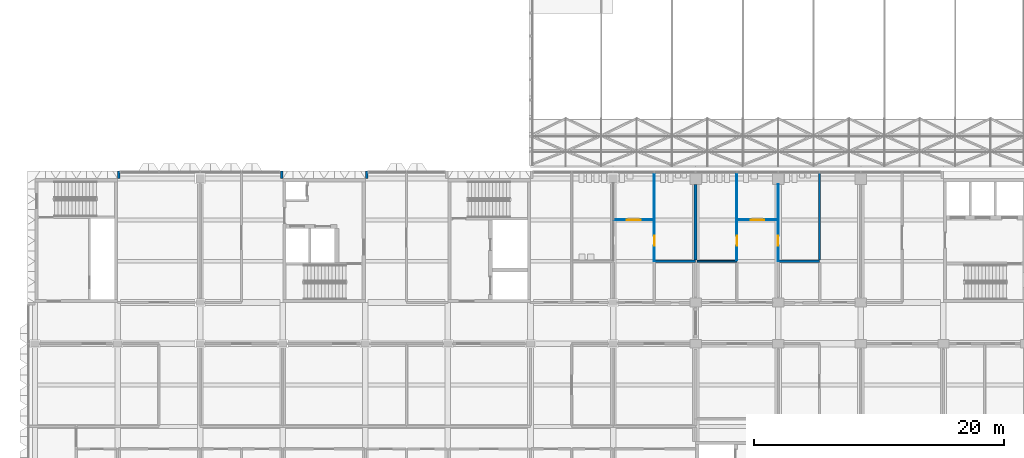
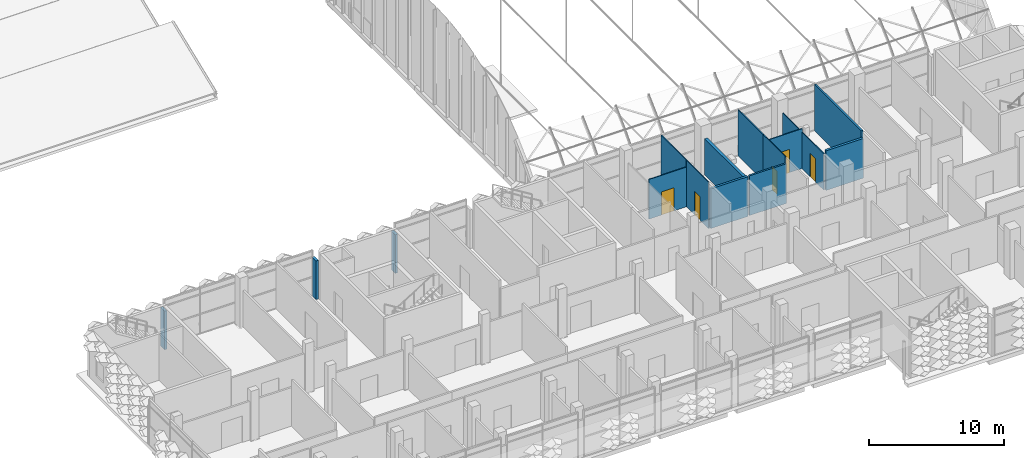
# One storey, part 53 of 109: 16 walls, 5 doors, 5 openings.
"""IFC4 building model written with IfcOpenShell, lengths in metres."""

from ifc_helpers import new_model, si_unit, direction, frame, frame_2d, origin, place, context, subcontext, project, spatial, rectangle, extrude, material, layer, layer_set, type_object, element, fill, save


model = new_model("IFC4")

# Units and contexts
model_context = context("Model", 3, precision=1e-05, world=origin(), true_north=direction((0.0, 1.0)))
body_context = subcontext(model_context, "Body", "Model", "MODEL_VIEW")
ifc_project = project(units=[si_unit("LENGTHUNIT", "METRE"), si_unit("AREAUNIT", "SQUARE_METRE"), si_unit("VOLUMEUNIT", "CUBIC_METRE"), si_unit("PLANEANGLEUNIT", "RADIAN"), si_unit("MASSUNIT", "GRAM", prefix="KILO")], contexts=[model_context])

# Site, building, storey
site_placement = place(None, origin())
site = spatial("IfcSite", under=ifc_project, at=site_placement, CompositionType="ELEMENT")
building_placement = place(site_placement, origin())
building = spatial("IfcBuilding", under=site, at=building_placement, Name="Lantern Court Research Institute", CompositionType="ELEMENT")
storey_placement = place(building_placement, frame((0.0, 0.0, 14.39990234375)))
storey = spatial("IfcBuildingStorey", under=building, at=storey_placement, Name="L03", CompositionType="ELEMENT", Elevation=14.39990234375)

# Walls
ifc_material_1 = material(Name="Fire-rated gypsum board partition, mineral wool filled")
ifc_layer_1 = layer(ifc_material_1, 0.199951171875)
ifc_layer_set_1 = layer_set([ifc_layer_1], Name="Fire-rated gypsum board partition, mineral wool filled")
wall_type_1 = type_object("IfcWallType", Name="Compartment wall 200 EI 120", PredefinedType="PARTITIONING", material=ifc_layer_set_1)
for number, where, z_axis, x_axis, name in (
    (1, (52.800048828125, 16.5, 0.0), (0.0, 0.0, 1.0), (-1.0, 0.0, 0.0), "Compartment wall 200 EI 120"),
    (2, (62.699951171875, 16.5, 0.0), (0.0, 0.0, 1.0), (-1.0, 0.0, 0.0), "Compartment wall 200 EI 120"),
):
    element("IfcWall", number, at=place(storey_placement, frame(where, z_axis=z_axis, x_axis=x_axis)), inside=storey, type_object=wall_type_1, Name=name, PredefinedType="PARTITIONING", context=body_context, shape_type="SweptSolid", body=[
        extrude(rectangle(XDim=3.199951171875, YDim=0.199951171875, at=frame_2d((1.60009765625, 0.0))), origin(), (0.0, 0.0, 1.0), 3.60009765625),
    ])
ifc_material_2 = material(Name="Fire-rated gypsum board partition, mineral wool filled")
ifc_layer_2 = layer(ifc_material_2, 0.14990234375)
ifc_layer_set_2 = layer_set([ifc_layer_2], Name="Fire-rated gypsum board partition, mineral wool filled")
wall_type_2 = type_object("IfcWallType", Name="Laboratory partition 150 EI 60", PredefinedType="PARTITIONING", material=ifc_layer_set_2)
wall_1_placement = place(storey_placement, frame((56.10009765625, 16.5, 0.0), z_axis=(0.0, 0.0, 1.0), x_axis=(-1.0, 0.0, 0.0)))
element("IfcWall", 3, at=wall_1_placement, inside=storey, type_object=wall_type_2, Name="Laboratory partition 150 EI 60", PredefinedType="PARTITIONING", context=body_context, shape_type="SweptSolid", body=[
    extrude(rectangle(XDim=3.175048828125, YDim=0.14990234375, at=frame_2d((1.58740234375, 0.0))), origin(), (0.0, 0.0, 1.0), 3.60009765625),
])
wall_2_placement = place(storey_placement, frame((62.699951171875, 16.60009765625, 0.0), z_axis=(0.0, 0.0, 1.0), x_axis=(0.0, 1.0, 0.0)))
element("IfcWall", 4, at=wall_2_placement, inside=storey, type_object=wall_type_2, Name="Laboratory partition 150 EI 60", PredefinedType="PARTITIONING", context=body_context, shape_type="SweptSolid", body=[
    extrude(rectangle(XDim=6.949951171875, YDim=0.14990234375, at=frame_2d((3.47509765625, 0.0))), origin(), (0.0, 0.0, 1.0), 4.2001953125),
])
ifc_material_3 = material(Name="Fire-rated gypsum board partition, double stud, mineral wool filled")
ifc_layer_3 = layer(ifc_material_3, 0.25)
ifc_layer_set_3 = layer_set([ifc_layer_3], Name="Fire-rated gypsum board partition, double stud, mineral wool filled")
wall_type_3 = type_object("IfcWallType", Name="Plant compartment wall 250 EI 120", PredefinedType="PARTITIONING", material=ifc_layer_set_3)
wall_3_placement = place(storey_placement, frame((52.800048828125, 16.60009765625, 0.0), z_axis=(0.0, 0.0, 1.0), x_axis=(0.0, 1.0, 0.0)))
element("IfcWall", 5, at=wall_3_placement, inside=storey, type_object=wall_type_3, Name="Plant compartment wall 250 EI 120", PredefinedType="PARTITIONING", context=body_context, shape_type="SweptSolid", body=[
    extrude(rectangle(XDim=6.0498046875, YDim=0.25, at=frame_2d((3.02490234375, 0.0))), origin(), (0.0, 0.0, 1.0), 3.300048828125),
])
ifc_material_4 = material(Name="Concrete C40/50", Category="concrete")
ifc_layer_4 = layer(ifc_material_4, 0.199951171875)
ifc_layer_set_4 = layer_set([ifc_layer_4], Name="Concrete C40/50")
wall_type_4 = type_object("IfcWallType", Name="Return wall 200 concrete EI 120 aluminium faced", PredefinedType="STANDARD", material=ifc_layer_set_4)
for number, where, z_axis, x_axis, name in (
    (6, (6.699951171875, 23.10009765625, 0.0), (0.0, 0.0, 1.0), (0.0, 1.0, 0.0), "Core return wall 33"),
    (7, (19.699951171875, 23.10009765625, 0.0), (0.0, 0.0, 1.0), (0.0, 1.0, 0.0), "Core return wall 34"),
    (8, (26.5, 23.10009765625, 0.0), (0.0, 0.0, 1.0), (0.0, 1.0, 0.0), "Core return wall 35"),
):
    element("IfcWall", number, at=place(storey_placement, frame(where, z_axis=z_axis, x_axis=x_axis)), inside=storey, type_object=wall_type_4, Name=name, PredefinedType="STANDARD", context=body_context, shape_type="SweptSolid", body=[
        extrude(rectangle(XDim=0.599853515625, YDim=0.199951171875, at=frame_2d((0.2998046875, 0.0))), origin(), (0.0, 0.0, 1.0), 3.5),
    ])

# Wall, opening, door
ifc_material_5 = material(Name="Gypsum board partition, mineral wool filled")
ifc_layer_5 = layer(ifc_material_5, 0.074951171875)
ifc_layer_set_5 = layer_set([ifc_layer_5], Name="Gypsum board partition, mineral wool filled")
wall_type_5 = type_object("IfcWallType", Name="Wet room partition 75", PredefinedType="PARTITIONING", material=ifc_layer_set_5)
wall_4_placement = place(storey_placement, frame((46.237548828125, 19.800048828125, 0.0), z_axis=(0.0, 0.0, 1.0), x_axis=(1.0, 0.0, 0.0)))
wall_4 = element("IfcWall", 9, at=wall_4_placement, inside=storey, type_object=wall_type_5, Name="Wet room partition 75", PredefinedType="PARTITIONING", context=body_context, shape_type="SweptSolid", body=[
    extrude(rectangle(XDim=3.262451171875, YDim=0.074951171875, at=frame_2d((1.63134765625, 0.0))), origin(), (0.0, 0.0, 1.0), 3.60009765625),
])
opening_1_placement = place(wall_4_placement, frame((1.0625, 0.0, 0.0)))
opening_1 = element("IfcOpeningElement", 10, at=opening_1_placement, cuts=wall_4, Name="Opening D4309", PredefinedType="OPENING", context=body_context, shape_type="SweptSolid", body=[
    extrude(rectangle(XDim=1.10009765625, YDim=2.10009765625, at=frame_2d((0.550048828125, 1.050048828125))), frame((0.0, 0.04736328125, 0.0), z_axis=(0.0, -1.0, 0.0), x_axis=(1.0, 0.0, 0.0)), (0.0, 0.0, 1.0), 0.094970703125),
])
ifc_material_6 = material(Name="Solid-core timber door leaf", Category="wood")
ifc_layer_6 = layer(ifc_material_6, 0.0439453125)
ifc_layer_set_6 = layer_set([ifc_layer_6], Name="Solid-core timber door leaf")
door_type_1 = type_object("IfcDoorType", Name="Accessible WC door 1100 x 2100 single NOT RATED", OperationType="NOTDEFINED", PredefinedType="DOOR", material=ifc_layer_set_6)
door_1_placement = place(opening_1_placement, origin())
door_1 = element("IfcDoor", 11, at=door_1_placement, inside=storey, type_object=door_type_1, Name="Door D4309", OperationType="SINGLE_SWING_RIGHT", OverallHeight=2.10009765625, OverallWidth=1.10009765625, PredefinedType="DOOR", context=body_context, shape_type="SweptSolid", body=[
    extrude(rectangle(XDim=1.10009765625, YDim=2.10009765625, at=frame_2d((0.550048828125, 1.050048828125))), frame((0.0, 0.02197265625, 0.0), z_axis=(0.0, -1.0, 0.0), x_axis=(1.0, 0.0, 0.0)), (0.0, 0.0, 1.0), 0.0439453125),
])
fill(opening_1, door_1)

wall_5_placement = place(storey_placement, frame((49.5, 19.762451171875, 0.0), z_axis=(0.0, 0.0, 1.0), x_axis=(0.0, -1.0, 0.0)))
wall_5 = element("IfcWall", 12, at=wall_5_placement, inside=storey, type_object=wall_type_5, Name="Wet room partition 75", PredefinedType="PARTITIONING", context=body_context, shape_type="SweptSolid", body=[
    extrude(rectangle(XDim=3.262451171875, YDim=0.074951171875, at=frame_2d((1.63134765625, 0.0))), origin(), (0.0, 0.0, 1.0), 4.2001953125),
])
opening_2_placement = place(wall_5_placement, frame((1.21240234375, 0.0, 0.0)))
opening_2 = element("IfcOpeningElement", 13, at=opening_2_placement, cuts=wall_5, Name="Opening D4311", PredefinedType="OPENING", context=body_context, shape_type="SweptSolid", body=[
    extrude(rectangle(XDim=0.800048828125, YDim=2.10009765625, at=frame_2d((0.39990234375, 1.050048828125))), frame((0.0, 0.04736328125, 0.0), z_axis=(0.0, -1.0, 0.0), x_axis=(1.0, 0.0, 0.0)), (0.0, 0.0, 1.0), 0.094970703125),
])
ifc_material_7 = material(Name="Solid-core timber door leaf", Category="wood")
ifc_layer_7 = layer(ifc_material_7, 0.0439453125)
ifc_layer_set_7 = layer_set([ifc_layer_7], Name="Solid-core timber door leaf")
door_type_2 = type_object("IfcDoorType", Name="WC door 800 x 2100 single NOT RATED", OperationType="NOTDEFINED", PredefinedType="DOOR", material=ifc_layer_set_7)
door_2_placement = place(opening_2_placement, origin())
door_2 = element("IfcDoor", 14, at=door_2_placement, inside=storey, type_object=door_type_2, Name="Door D4311", OperationType="SINGLE_SWING_RIGHT", OverallHeight=2.10009765625, OverallWidth=0.800048828125, PredefinedType="DOOR", context=body_context, shape_type="SweptSolid", body=[
    extrude(rectangle(XDim=0.800048828125, YDim=2.10009765625, at=frame_2d((0.39990234375, 1.050048828125))), frame((0.0, 0.02197265625, 0.0), z_axis=(0.0, -1.0, 0.0), x_axis=(1.0, 0.0, 0.0)), (0.0, 0.0, 1.0), 0.0439453125),
])
fill(opening_2, door_2)

# Wall
wall_6_placement = place(storey_placement, frame((49.5, 19.83740234375, 0.0), z_axis=(0.0, 0.0, 1.0), x_axis=(0.0, 1.0, 0.0)))
element("IfcWall", 15, at=wall_6_placement, inside=storey, type_object=wall_type_5, Name="Wet room partition 75", PredefinedType="PARTITIONING", context=body_context, shape_type="SweptSolid", body=[
    extrude(rectangle(XDim=3.712646484375, YDim=0.074951171875, at=frame_2d((1.8564453125, 0.0))), origin(), (0.0, 0.0, 1.0), 4.2001953125),
])

# Wall, opening, door
wall_7_placement = place(storey_placement, frame((56.10009765625, 16.574951171875, 0.0), z_axis=(0.0, 0.0, 1.0), x_axis=(0.0, 1.0, 0.0)))
wall_7 = element("IfcWall", 16, at=wall_7_placement, inside=storey, type_object=wall_type_5, Name="Wet room partition 75", PredefinedType="PARTITIONING", context=body_context, shape_type="SweptSolid", body=[
    extrude(rectangle(XDim=3.22509765625, YDim=0.074951171875, at=frame_2d((1.612548828125, 0.0))), origin(), (0.0, 0.0, 1.0), 4.2001953125),
])
opening_3_placement = place(wall_7_placement, frame((1.175048828125, 0.0, 0.0)))
opening_3 = element("IfcOpeningElement", 17, at=opening_3_placement, cuts=wall_7, Name="Opening D5302", PredefinedType="OPENING", context=body_context, shape_type="SweptSolid", body=[
    extrude(rectangle(XDim=0.800048828125, YDim=2.10009765625, at=frame_2d((0.39990234375, 1.050048828125))), frame((0.0, 0.04736328125, 0.0), z_axis=(0.0, -1.0, 0.0), x_axis=(1.0, 0.0, 0.0)), (0.0, 0.0, 1.0), 0.094970703125),
])
door_3_placement = place(opening_3_placement, origin())
door_3 = element("IfcDoor", 18, at=door_3_placement, inside=storey, type_object=door_type_2, Name="Door D5302", OperationType="SINGLE_SWING_LEFT", OverallHeight=2.10009765625, OverallWidth=0.800048828125, PredefinedType="DOOR", context=body_context, shape_type="SweptSolid", body=[
    extrude(rectangle(XDim=0.800048828125, YDim=2.10009765625, at=frame_2d((0.39990234375, 1.050048828125))), frame((0.0, 0.02197265625, 0.0), z_axis=(0.0, -1.0, 0.0), x_axis=(1.0, 0.0, 0.0)), (0.0, 0.0, 1.0), 0.0439453125),
])
fill(opening_3, door_3)

# Wall
wall_8_placement = place(storey_placement, frame((56.10009765625, 19.800048828125, 0.0), z_axis=(0.0, 0.0, 1.0), x_axis=(0.0, 1.0, 0.0)))
element("IfcWall", 19, at=wall_8_placement, inside=storey, type_object=wall_type_5, Name="Wet room partition 75", PredefinedType="PARTITIONING", context=body_context, shape_type="SweptSolid", body=[
    extrude(rectangle(XDim=3.75, YDim=0.074951171875, at=frame_2d((1.875, 0.0))), origin(), (0.0, 0.0, 1.0), 4.2001953125),
])

# Wall, opening, door
wall_9_placement = place(storey_placement, frame((56.137451171875, 19.800048828125, 0.0), z_axis=(0.0, 0.0, 1.0), x_axis=(1.0, 0.0, 0.0)))
wall_9 = element("IfcWall", 20, at=wall_9_placement, inside=storey, type_object=wall_type_5, Name="Wet room partition 75", PredefinedType="PARTITIONING", context=body_context, shape_type="SweptSolid", body=[
    extrude(rectangle(XDim=3.262451171875, YDim=0.074951171875, at=frame_2d((1.63134765625, 0.0))), origin(), (0.0, 0.0, 1.0), 3.60009765625),
])
opening_4_placement = place(wall_9_placement, frame((1.0625, 0.0, 0.0)))
opening_4 = element("IfcOpeningElement", 21, at=opening_4_placement, cuts=wall_9, Name="Opening D5304", PredefinedType="OPENING", context=body_context, shape_type="SweptSolid", body=[
    extrude(rectangle(XDim=1.10009765625, YDim=2.10009765625, at=frame_2d((0.550048828125, 1.050048828125))), frame((0.0, 0.04736328125, 0.0), z_axis=(0.0, -1.0, 0.0), x_axis=(1.0, 0.0, 0.0)), (0.0, 0.0, 1.0), 0.094970703125),
])
door_4_placement = place(opening_4_placement, origin())
door_4 = element("IfcDoor", 22, at=door_4_placement, inside=storey, type_object=door_type_1, Name="Door D5304", OperationType="SINGLE_SWING_RIGHT", OverallHeight=2.10009765625, OverallWidth=1.10009765625, PredefinedType="DOOR", context=body_context, shape_type="SweptSolid", body=[
    extrude(rectangle(XDim=1.10009765625, YDim=2.10009765625, at=frame_2d((0.550048828125, 1.050048828125))), frame((0.0, 0.02197265625, 0.0), z_axis=(0.0, -1.0, 0.0), x_axis=(1.0, 0.0, 0.0)), (0.0, 0.0, 1.0), 0.0439453125),
])
fill(opening_4, door_4)

wall_10_placement = place(storey_placement, frame((59.39990234375, 19.762451171875, 0.0), z_axis=(0.0, 0.0, 1.0), x_axis=(0.0, -1.0, 0.0)))
wall_10 = element("IfcWall", 23, at=wall_10_placement, inside=storey, type_object=wall_type_5, Name="Wet room partition 75", PredefinedType="PARTITIONING", context=body_context, shape_type="SweptSolid", body=[
    extrude(rectangle(XDim=3.262451171875, YDim=0.074951171875, at=frame_2d((1.63134765625, 0.0))), origin(), (0.0, 0.0, 1.0), 3.300048828125),
])
opening_5_placement = place(wall_10_placement, frame((1.21240234375, 0.0, 0.0)))
opening_5 = element("IfcOpeningElement", 24, at=opening_5_placement, cuts=wall_10, Name="Opening D5306", PredefinedType="OPENING", context=body_context, shape_type="SweptSolid", body=[
    extrude(rectangle(XDim=0.800048828125, YDim=2.10009765625, at=frame_2d((0.39990234375, 1.050048828125))), frame((0.0, 0.04736328125, 0.0), z_axis=(0.0, -1.0, 0.0), x_axis=(1.0, 0.0, 0.0)), (0.0, 0.0, 1.0), 0.094970703125),
])
door_5_placement = place(opening_5_placement, origin())
door_5 = element("IfcDoor", 25, at=door_5_placement, inside=storey, type_object=door_type_2, Name="Door D5306", OperationType="SINGLE_SWING_RIGHT", OverallHeight=2.10009765625, OverallWidth=0.800048828125, PredefinedType="DOOR", context=body_context, shape_type="SweptSolid", body=[
    extrude(rectangle(XDim=0.800048828125, YDim=2.10009765625, at=frame_2d((0.39990234375, 1.050048828125))), frame((0.0, 0.02197265625, 0.0), z_axis=(0.0, -1.0, 0.0), x_axis=(1.0, 0.0, 0.0)), (0.0, 0.0, 1.0), 0.0439453125),
])
fill(opening_5, door_5)

# Wall
wall_11_placement = place(storey_placement, frame((59.39990234375, 19.83740234375, 0.0), z_axis=(0.0, 0.0, 1.0), x_axis=(0.0, 1.0, 0.0)))
element("IfcWall", 26, at=wall_11_placement, inside=storey, type_object=wall_type_5, Name="Wet room partition 75", PredefinedType="PARTITIONING", context=body_context, shape_type="SweptSolid", body=[
    extrude(rectangle(XDim=2.8125, YDim=0.074951171875, at=frame_2d((1.40625, 0.0))), origin(), (0.0, 0.0, 1.0), 3.300048828125),
])

save(model, "model.ifc")
